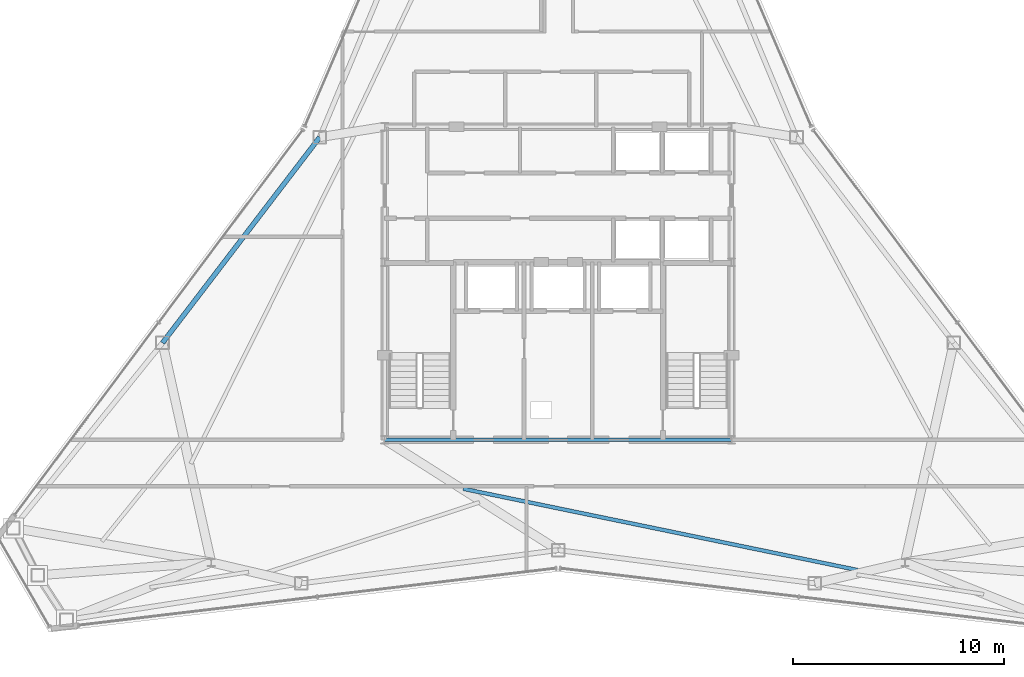
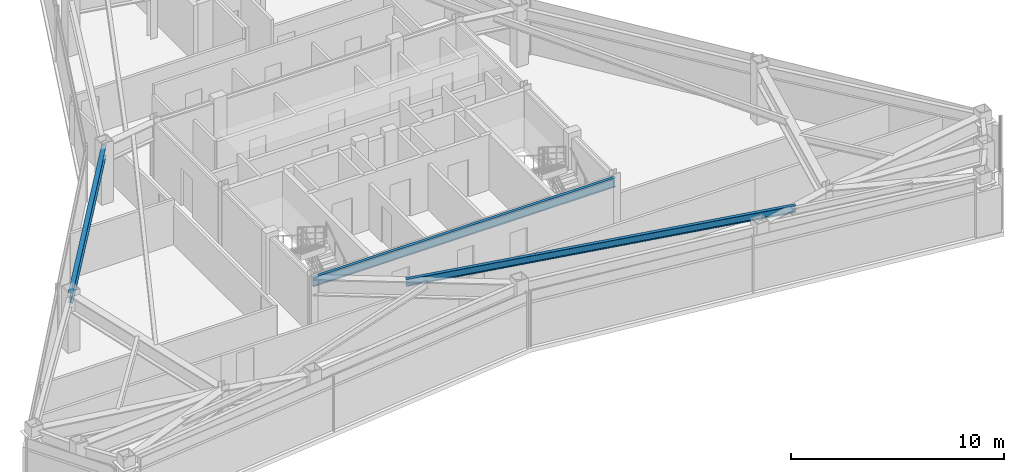
# One storey, part 4 of 12: 3 beams.
"""IFC4 building model written with IfcOpenShell, lengths in metres."""

from ifc_helpers import new_model, si_unit, direction, frame, origin, origin_2d, place, context, subcontext, project, spatial, i_section, extrude, material, material_profile, profile_set, type_object, element, save


model = new_model("IFC4")

# Units and contexts
model_context = context("Model", 3, precision=1e-05, world=origin(), true_north=direction((0.0, 1.0)))
body_context = subcontext(model_context, "Body", "Model", "MODEL_VIEW")
ifc_project = project(units=[si_unit("LENGTHUNIT", "METRE"), si_unit("AREAUNIT", "SQUARE_METRE"), si_unit("VOLUMEUNIT", "CUBIC_METRE"), si_unit("PLANEANGLEUNIT", "RADIAN"), si_unit("MASSUNIT", "GRAM", prefix="KILO")], contexts=[model_context])

# Site, building, storey
site_placement = place(None, origin())
site = spatial("IfcSite", under=ifc_project, at=site_placement, CompositionType="ELEMENT")
building_placement = place(site_placement, origin())
building = spatial("IfcBuilding", under=site, at=building_placement, Name="Varakhsha Concourse Tower", CompositionType="ELEMENT")
storey_placement = place(building_placement, frame((0.0, 0.0, 286.5)))
storey = spatial("IfcBuildingStorey", under=building, at=storey_placement, Name="L81", CompositionType="ELEMENT", Elevation=286.5)

# Beams
ifc_material = material(Name="Structural Steel ASTM A992 Grade 50", Category="steel")
ifc_material_profile_1 = material_profile(ifc_material, i_section(OverallWidth=0.177978515625, OverallDepth=0.406982421875, WebThickness=0.008056640625, FlangeThickness=0.012939453125, at=origin_2d()), Name="W16X40")
ifc_profile_set_1 = profile_set([ifc_material_profile_1], Name="Structural Steel ASTM A992 Grade 50")
beam_type_1 = type_object("IfcBeamType", Name="BM-JST-W16X40", PredefinedType="JOIST", material=ifc_profile_set_1)
beam_1_placement = place(storey_placement, frame((35.515625, 14.083251953125, 2.99658203125), z_axis=(0.979407631948, -0.20189276976, 0.0), x_axis=(0.20189276976, 0.979407631948, 0.0)))
element("IfcBeam", 1, at=beam_1_placement, inside=storey, type_object=beam_type_1, Name="BM-TJST-L81-11", PredefinedType="JOIST", context=body_context, shape_type="SweptSolid", body=[
    extrude(i_section(OverallWidth=0.177978515625, OverallDepth=0.406982421875, WebThickness=0.008056640625, FlangeThickness=0.012939453125, at=origin_2d()), origin(), (0.0, 0.0, 1.0), 19.2998046875),
])
ifc_material_profile_2 = material_profile(ifc_material, i_section(OverallWidth=0.1669921875, OverallDepth=0.534912109375, WebThickness=0.010009765625, FlangeThickness=0.01708984375, at=origin_2d()), Name="W21X57")
ifc_profile_set_2 = profile_set([ifc_material_profile_2], Name="Structural Steel ASTM A992 Grade 50")
beam_type_2 = type_object("IfcBeamType", Name="BM-RAD-W21X57", PredefinedType="BEAM", material=ifc_profile_set_2)
beam_2_placement = place(storey_placement, frame((31.800048828125, 16.39990234375, 2.9326171875), z_axis=(1.0, 0.0, 0.0), x_axis=(0.0, 1.0, 0.0)))
element("IfcBeam", 2, at=beam_2_placement, inside=storey, type_object=beam_type_2, Name="BM-TCORE-L81-CS", PredefinedType="BEAM", context=body_context, shape_type="SweptSolid", body=[
    extrude(i_section(OverallWidth=0.1669921875, OverallDepth=0.534912109375, WebThickness=0.010009765625, FlangeThickness=0.01708984375, at=origin_2d()), origin(), (0.0, 0.0, 1.0), 16.39990234375),
])
ifc_material_profile_3 = material_profile(ifc_material, i_section(OverallWidth=0.22900390625, OverallDepth=0.612060546875, WebThickness=0.011962890625, FlangeThickness=0.02001953125, at=origin_2d()), Name="W24X84")
ifc_profile_set_3 = profile_set([ifc_material_profile_3], Name="Structural Steel ASTM A992 Grade 50")
beam_type_3 = type_object("IfcBeamType", Name="BM-SPAN-W24X84", PredefinedType="SPANDREL", material=ifc_profile_set_3)
beam_3_placement = place(storey_placement, frame((28.728759765625, 30.70751953125, 2.89404296875), z_axis=(-0.60724726041, -0.794512910357, 0.0), x_axis=(0.794512910357, -0.60724726041, 0.0)))
element("IfcBeam", 3, at=beam_3_placement, inside=storey, type_object=beam_type_3, Name="BM-SPAN-L81-05", PredefinedType="SPANDREL", context=body_context, shape_type="SweptSolid", body=[
    extrude(i_section(OverallWidth=0.22900390625, OverallDepth=0.612060546875, WebThickness=0.011962890625, FlangeThickness=0.02001953125, at=origin_2d()), origin(), (0.0, 0.0, 1.0), 12.241943359375),
])

save(model, "model.ifc")
